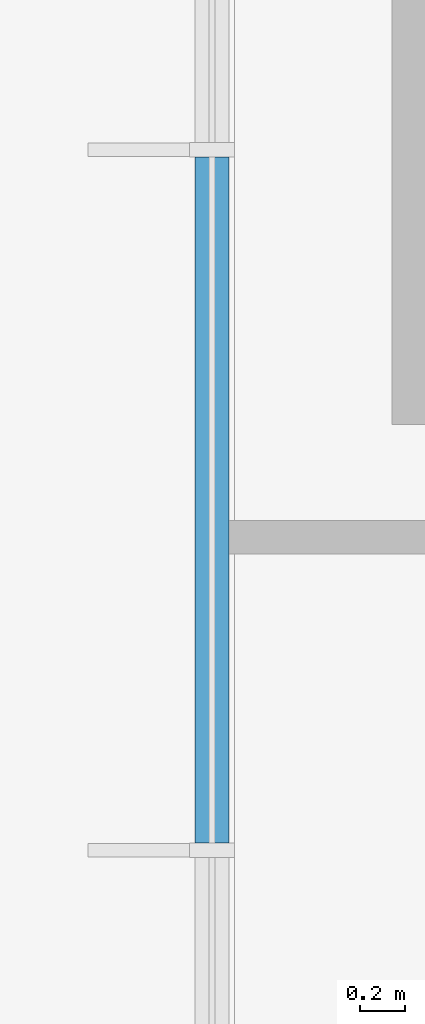
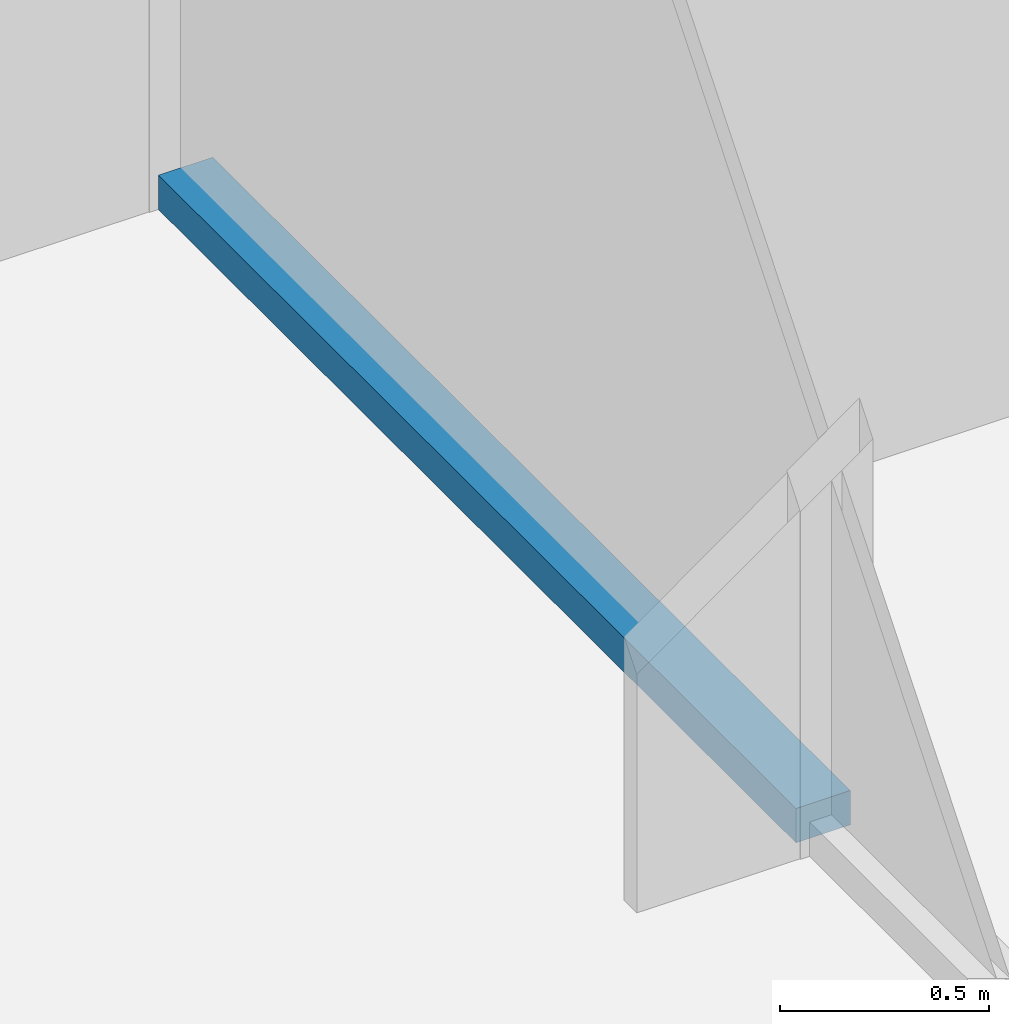
# One storey, part 3 of 11: 1 member, 1 element without a shape of its own.
"""IFC4 building model written with IfcOpenShell, lengths in metres."""

from ifc_helpers import new_model, si_unit, direction, frame, origin, origin_2d, place, context, subcontext, project, spatial, rectangle, extrude, material, layer, layer_set, material_profile, profile_set, type_object, element, aggregate, save


model = new_model("IFC4")

# Units and contexts
model_context = context("Model", 3, precision=1e-05, world=origin(), true_north=direction((0.0, 1.0)))
body_context = subcontext(model_context, "Body", "Model", "MODEL_VIEW")
ifc_project = project(units=[si_unit("LENGTHUNIT", "METRE"), si_unit("AREAUNIT", "SQUARE_METRE"), si_unit("VOLUMEUNIT", "CUBIC_METRE"), si_unit("PLANEANGLEUNIT", "RADIAN"), si_unit("MASSUNIT", "GRAM", prefix="KILO")], contexts=[model_context])

# Site, building, storey
site_placement = place(None, origin())
site = spatial("IfcSite", under=ifc_project, at=site_placement, CompositionType="ELEMENT")
building_placement = place(site_placement, origin())
building = spatial("IfcBuilding", under=site, at=building_placement, Name="Highveld Stack Headquarters", CompositionType="ELEMENT")
storey_placement = place(building_placement, frame((0.0, 0.0, 18.199951171875)))
storey = spatial("IfcBuildingStorey", under=building, at=storey_placement, Name="L03", CompositionType="ELEMENT", Elevation=18.199951171875)

# Curtain wall, member
ifc_material_1 = material(Name="Aluminium bronze anodised", Category="aluminium")
ifc_layer = layer(ifc_material_1, 0.199951171875)
ifc_layer_set = layer_set([ifc_layer], Name="Aluminium bronze anodised")
curtain_wall_type = type_object("IfcCurtainWallType", Name="CW1 TOWER UNITISED CURTAIN WALL", PredefinedType="NOTDEFINED", material=ifc_layer_set)
curtain_wall_placement = place(storey_placement, origin())
curtain_wall = element("IfcCurtainWall", 1, at=curtain_wall_placement, inside=storey, type_object=curtain_wall_type, Name="Curtain wall CW1 L03 W", PredefinedType="NOTDEFINED")
ifc_material_2 = material(Name="Aluminium bronze anodised", Category="aluminium")
ifc_material_profile = material_profile(ifc_material_2, rectangle(XDim=0.14990234375, YDim=0.10009765625, at=origin_2d()), Name="CW1 TRANSOM 150x100")
ifc_profile_set = profile_set([ifc_material_profile], Name="Aluminium bronze anodised")
member_type = type_object("IfcMemberType", Name="CW1 STACK TRANSOM 150x100", PredefinedType="USERDEFINED", material=ifc_profile_set)
member_placement = place(storey_placement, frame((-25.60009765625, 6.1884765625, 0.050048828125), z_axis=(0.0, -1.0, 0.0), x_axis=(1.0, 0.0, 0.0)))
member = element("IfcMember", 2, at=member_placement, type_object=member_type, Name="CW1 transom L03 5.1", ObjectType="TRANSOM", PredefinedType="USERDEFINED", context=body_context, shape_type="SweptSolid", body=[
    extrude(rectangle(XDim=0.14990234375, YDim=0.10009765625, at=origin_2d()), origin(), (0.0, 0.0, 1.0), 3.04541015625),
])
aggregate(curtain_wall, [member])

save(model, "model.ifc")
